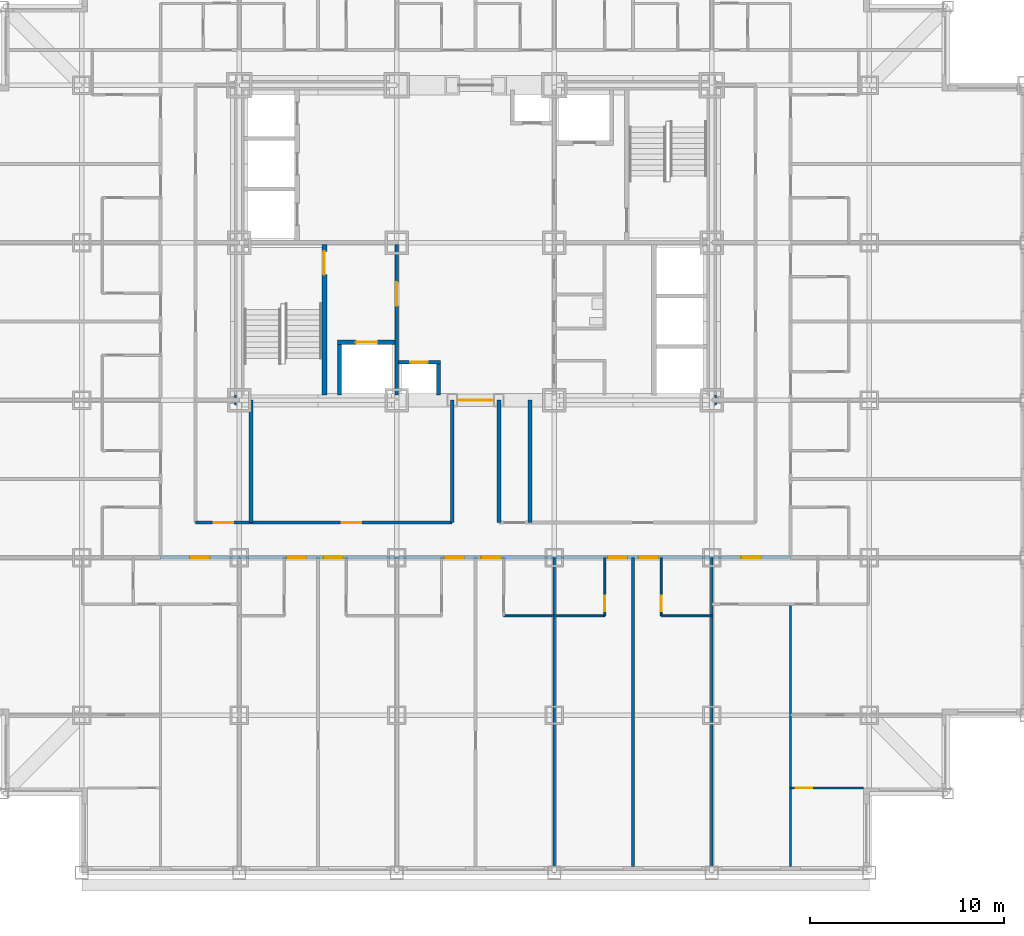
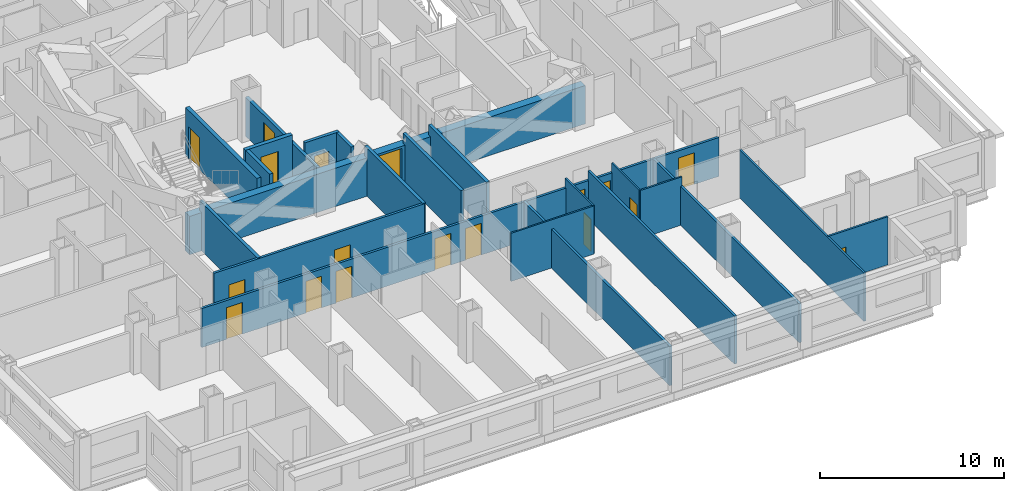
# One storey, part 5 of 12: 22 walls, 18 doors, 18 openings.
"""IFC4 building model written with IfcOpenShell, lengths in metres."""

from ifc_helpers import new_model, si_unit, direction, frame, frame_2d, origin, place, context, subcontext, project, spatial, rectangle, extrude, material, layer, layer_set, type_object, element, fill, save


model = new_model("IFC4")

# Units and contexts
model_context = context("Model", 3, precision=1e-05, world=origin(), true_north=direction((0.0, 1.0)))
body_context = subcontext(model_context, "Body", "Model", "MODEL_VIEW")
ifc_project = project(units=[si_unit("LENGTHUNIT", "METRE"), si_unit("AREAUNIT", "SQUARE_METRE"), si_unit("VOLUMEUNIT", "CUBIC_METRE"), si_unit("PLANEANGLEUNIT", "RADIAN"), si_unit("MASSUNIT", "GRAM", prefix="KILO")], contexts=[model_context])

# Site, building, storey
site_placement = place(None, origin())
site = spatial("IfcSite", under=ifc_project, at=site_placement, CompositionType="ELEMENT")
building_placement = place(site_placement, origin())
building = spatial("IfcBuilding", under=site, at=building_placement, Name="Kopane Lantern Tower", CompositionType="ELEMENT")
storey_placement = place(building_placement, frame((0.0, 0.0, 39.800048828125)))
storey = spatial("IfcBuildingStorey", under=building, at=storey_placement, Name="L08", CompositionType="ELEMENT", Elevation=39.800048828125)

# Wall
ifc_material_1 = material(Name="Gypsum board on steel studs", Category="steel")
ifc_layer_1 = layer(ifc_material_1, 0.1201171875)
ifc_layer_set_1 = layer_set([ifc_layer_1], Name="APARTMENT INTERNAL WALL 120")
wall_type_1 = type_object("IfcWallType", Name="APARTMENT INTERNAL WALL 120", PredefinedType="PARTITIONING", material=ifc_layer_set_1)
wall_1_placement = place(storey_placement, frame((44.550048828125, 13.800048828125, 0.0), z_axis=(0.0, 0.0, 1.0), x_axis=(0.0, -1.0, 0.0)))
element("IfcWall", 1, at=wall_1_placement, inside=storey, type_object=wall_type_1, Name="Apartment Internal Wall 120 L08", PredefinedType="PARTITIONING", context=body_context, shape_type="SweptSolid", body=[
    extrude(rectangle(XDim=13.5, YDim=0.1201171875, at=frame_2d((6.75, 0.0))), origin(), (0.0, 0.0, 1.0), 3.18994140625),
])

# Wall, opening, door
wall_2_placement = place(storey_placement, frame((44.550048828125, 4.35009765625, 0.0), z_axis=(0.0, 0.0, 1.0), x_axis=(1.0, 0.0, 0.0)))
wall_2 = element("IfcWall", 2, at=wall_2_placement, inside=storey, type_object=wall_type_1, Name="Apartment Internal Wall 120 L08", PredefinedType="PARTITIONING", context=body_context, shape_type="SweptSolid", body=[
    extrude(rectangle(XDim=3.75, YDim=0.1201171875, at=frame_2d((1.875, 0.0))), origin(), (0.0, 0.0, 1.0), 3.18994140625),
])
opening_1_placement = place(wall_2_placement, frame((0.27490234375, 0.0, 0.0)))
opening_1 = element("IfcOpeningElement", 3, at=opening_1_placement, cuts=wall_2, Name="Opening L08-076", PredefinedType="OPENING", context=body_context, shape_type="SweptSolid", body=[
    extrude(rectangle(XDim=0.85009765625, YDim=2.10009765625, at=frame_2d((0.425048828125, 1.050048828125))), frame((0.0, 0.070068359375, 0.0), z_axis=(0.0, -1.0, 0.0), x_axis=(1.0, 0.0, 0.0)), (0.0, 0.0, 1.0), 0.14013671875),
])
ifc_material_2 = material(Name="Timber door set", Category="wood")
door_type_1 = type_object("IfcDoorType", Name="DOOR D4 850x2100", OperationType="SINGLE_SWING_LEFT", PredefinedType="DOOR", material=ifc_material_2)
door_1_placement = place(opening_1_placement, origin())
door_1 = element("IfcDoor", 4, at=door_1_placement, inside=storey, type_object=door_type_1, Name="Door L08-076", OperationType="SINGLE_SWING_RIGHT", OverallHeight=2.10009765625, OverallWidth=0.85009765625, PredefinedType="DOOR", context=body_context, shape_type="SweptSolid", body=[
    extrude(rectangle(XDim=0.85009765625, YDim=2.10009765625, at=frame_2d((0.425048828125, 1.050048828125))), frame((0.0, 0.02490234375, 0.0), z_axis=(0.0, -1.0, 0.0), x_axis=(1.0, 0.0, 0.0)), (0.0, 0.0, 1.0), 0.050048828125),
])
fill(opening_1, door_1)

# Wall
ifc_material_3 = material(Name="Moisture-resistant board on steel studs", Category="steel")
ifc_layer_2 = layer(ifc_material_3, 0.10009765625)
ifc_layer_set_2 = layer_set([ifc_layer_2], Name="BATHROOM WALL 100")
wall_type_2 = type_object("IfcWallType", Name="BATHROOM WALL 100", PredefinedType="PARTITIONING", material=ifc_layer_set_2)
wall_3_placement = place(storey_placement, frame((29.800048828125, 13.199951171875, 0.0), z_axis=(0.0, 0.0, 1.0), x_axis=(1.0, 0.0, 0.0)))
element("IfcWall", 5, at=wall_3_placement, inside=storey, type_object=wall_type_2, Name="Bathroom Wall 100 L08", PredefinedType="PARTITIONING", context=body_context, shape_type="SweptSolid", body=[
    extrude(rectangle(XDim=5.199951171875, YDim=0.10009765625, at=frame_2d((2.60009765625, 0.0))), origin(), (0.0, 0.0, 1.0), 3.18994140625),
])

# Wall, opening, door
wall_4_placement = place(storey_placement, frame((35.0, 16.199951171875, 0.0), z_axis=(0.0, 0.0, 1.0), x_axis=(0.0, -1.0, 0.0)))
wall_4 = element("IfcWall", 6, at=wall_4_placement, inside=storey, type_object=wall_type_2, Name="Bathroom Wall 100 L08", PredefinedType="PARTITIONING", context=body_context, shape_type="SweptSolid", body=[
    extrude(rectangle(XDim=3.0, YDim=0.10009765625, at=frame_2d((1.5, 0.0))), origin(), (0.0, 0.0, 1.0), 3.18994140625),
])
opening_2_placement = place(wall_4_placement, frame((1.949951171875, 0.0, 0.0)))
opening_2 = element("IfcOpeningElement", 7, at=opening_2_placement, cuts=wall_4, Name="Opening L08-019", PredefinedType="OPENING", context=body_context, shape_type="SweptSolid", body=[
    extrude(rectangle(XDim=0.800048828125, YDim=2.10009765625, at=frame_2d((0.39990234375, 1.050048828125))), frame((0.0, 0.06005859375, 0.0), z_axis=(0.0, -1.0, 0.0), x_axis=(1.0, 0.0, 0.0)), (0.0, 0.0, 1.0), 0.1201171875),
])
ifc_material_4 = material(Name="Timber door set", Category="wood")
door_type_2 = type_object("IfcDoorType", Name="DOOR D2 800x2100", OperationType="SINGLE_SWING_LEFT", PredefinedType="DOOR", material=ifc_material_4)
door_2_placement = place(opening_2_placement, origin())
door_2 = element("IfcDoor", 8, at=door_2_placement, inside=storey, type_object=door_type_2, Name="Door L08-019", OperationType="SINGLE_SWING_LEFT", OverallHeight=2.10009765625, OverallWidth=0.800048828125, PredefinedType="DOOR", context=body_context, shape_type="SweptSolid", body=[
    extrude(rectangle(XDim=0.800048828125, YDim=2.10009765625, at=frame_2d((0.39990234375, 1.050048828125))), frame((0.0, 0.02490234375, 0.0), z_axis=(0.0, -1.0, 0.0), x_axis=(1.0, 0.0, 0.0)), (0.0, 0.0, 1.0), 0.050048828125),
])
fill(opening_2, door_2)

# Wall
wall_5_placement = place(storey_placement, frame((37.89990234375, 13.199951171875, 0.0), z_axis=(0.0, 0.0, 1.0), x_axis=(1.0, 0.0, 0.0)))
element("IfcWall", 9, at=wall_5_placement, inside=storey, type_object=wall_type_2, Name="Bathroom Wall 100 L08", PredefinedType="PARTITIONING", context=body_context, shape_type="SweptSolid", body=[
    extrude(rectangle(XDim=2.60009765625, YDim=0.10009765625, at=frame_2d((1.300048828125, 0.0))), origin(), (0.0, 0.0, 1.0), 3.18994140625),
])

# Wall, opening, door
wall_6_placement = place(storey_placement, frame((37.89990234375, 16.199951171875, 0.0), z_axis=(0.0, 0.0, 1.0), x_axis=(0.0, -1.0, 0.0)))
wall_6 = element("IfcWall", 10, at=wall_6_placement, inside=storey, type_object=wall_type_2, Name="Bathroom Wall 100 L08", PredefinedType="PARTITIONING", context=body_context, shape_type="SweptSolid", body=[
    extrude(rectangle(XDim=3.0, YDim=0.10009765625, at=frame_2d((1.5, 0.0))), origin(), (0.0, 0.0, 1.0), 3.18994140625),
])
opening_3_placement = place(wall_6_placement, frame((1.949951171875, 0.0, 0.0)))
opening_3 = element("IfcOpeningElement", 11, at=opening_3_placement, cuts=wall_6, Name="Opening L08-021", PredefinedType="OPENING", context=body_context, shape_type="SweptSolid", body=[
    extrude(rectangle(XDim=0.800048828125, YDim=2.10009765625, at=frame_2d((0.39990234375, 1.050048828125))), frame((0.0, 0.06005859375, 0.0), z_axis=(0.0, -1.0, 0.0), x_axis=(1.0, 0.0, 0.0)), (0.0, 0.0, 1.0), 0.1201171875),
])
door_3_placement = place(opening_3_placement, origin())
door_3 = element("IfcDoor", 12, at=door_3_placement, inside=storey, type_object=door_type_2, Name="Door L08-021", OperationType="SINGLE_SWING_RIGHT", OverallHeight=2.10009765625, OverallWidth=0.800048828125, PredefinedType="DOOR", context=body_context, shape_type="SweptSolid", body=[
    extrude(rectangle(XDim=0.800048828125, YDim=2.10009765625, at=frame_2d((0.39990234375, 1.050048828125))), frame((0.0, 0.02490234375, 0.0), z_axis=(0.0, -1.0, 0.0), x_axis=(1.0, 0.0, 0.0)), (0.0, 0.0, 1.0), 0.050048828125),
])
fill(opening_3, door_3)

ifc_material_5 = material(Name="Gypsum shaft wall EI 120", Category="gypsum")
ifc_layer_3 = layer(ifc_material_5, 0.5)
ifc_layer_set_3 = layer_set([ifc_layer_3], Name="CORE PERIMETER WALL 500 EI 120")
wall_type_3 = type_object("IfcWallType", Name="CORE PERIMETER WALL 500 EI 120", PredefinedType="SOLIDWALL", material=ifc_layer_set_3)
wall_7_placement = place(storey_placement, frame((15.949951171875, 24.300048828125, 0.0), z_axis=(0.0, 0.0, 1.0), x_axis=(1.0, 0.0, 0.0)))
wall_7 = element("IfcWall", 13, at=wall_7_placement, inside=storey, type_object=wall_type_3, Name="Core shaft wall L08 PS", PredefinedType="SOLIDWALL", context=body_context, shape_type="SweptSolid", body=[
    extrude(rectangle(XDim=24.800048828125, YDim=0.5, at=frame_2d((12.39990234375, 0.0))), origin(), (0.0, 0.0, 1.0), 2.5400390625),
])
opening_4_placement = place(wall_7_placement, frame((11.5, 0.0, 0.0)))
opening_4 = element("IfcOpeningElement", 14, at=opening_4_placement, cuts=wall_7, Name="Opening 08.CE-S", PredefinedType="OPENING", context=body_context, shape_type="SweptSolid", body=[
    extrude(rectangle(XDim=1.800048828125, YDim=2.39990234375, at=frame_2d((0.89990234375, 1.199951171875))), frame((0.0, 0.260009765625, 0.0), z_axis=(0.0, -1.0, 0.0), x_axis=(1.0, 0.0, 0.0)), (0.0, 0.0, 1.0), 0.52001953125),
])
ifc_material_6 = material(Name="Steel door set", Category="steel")
door_type_3 = type_object("IfcDoorType", Name="CORE ENTRY DOOR 1800x2400 FD60S", OperationType="DOUBLE_DOOR_SINGLE_SWING", PredefinedType="DOOR", material=ifc_material_6)
door_4_placement = place(opening_4_placement, origin())
door_4 = element("IfcDoor", 15, at=door_4_placement, inside=storey, type_object=door_type_3, Name="Core entry door L08 south", OperationType="DOUBLE_DOOR_SINGLE_SWING", OverallHeight=2.39990234375, OverallWidth=1.800048828125, PredefinedType="DOOR", context=body_context, shape_type="SweptSolid", body=[
    extrude(rectangle(XDim=1.800048828125, YDim=2.39990234375, at=frame_2d((0.89990234375, 1.199951171875))), frame((0.0, 0.02490234375, 0.0), z_axis=(0.0, -1.0, 0.0), x_axis=(1.0, 0.0, 0.0)), (0.0, 0.0, 1.0), 0.050048828125),
])
fill(opening_4, door_4)

ifc_material_7 = material(Name="Gypsum shaft wall EI 120", Category="gypsum")
ifc_layer_4 = layer(ifc_material_7, 0.25)
ifc_layer_set_4 = layer_set([ifc_layer_4], Name="CORE SHAFT WALL 250 EI 120")
wall_type_4 = type_object("IfcWallType", Name="CORE SHAFT WALL 250 EI 120", PredefinedType="SOLIDWALL", material=ifc_layer_set_4)
wall_8_placement = place(storey_placement, frame((20.574951171875, 24.550048828125, 0.0), z_axis=(0.0, 0.0, 1.0), x_axis=(0.0, 1.0, 0.0)))
wall_8 = element("IfcWall", 16, at=wall_8_placement, inside=storey, type_object=wall_type_4, Name="Core shaft wall L08 XST1", PredefinedType="SOLIDWALL", context=body_context, shape_type="SweptSolid", body=[
    extrude(rectangle(XDim=7.75, YDim=0.25, at=frame_2d((3.875, 0.0))), origin(), (0.0, 0.0, 1.0), 3.18994140625),
])
opening_5_placement = place(wall_8_placement, frame((6.199951171875, 0.0, 0.0)))
opening_5 = element("IfcOpeningElement", 17, at=opening_5_placement, cuts=wall_8, Name="Opening 08.SD1", PredefinedType="OPENING", context=body_context, shape_type="SweptSolid", body=[
    extrude(rectangle(XDim=1.199951171875, YDim=2.10009765625, at=frame_2d((0.60009765625, 1.050048828125))), frame((0.0, 0.135009765625, 0.0), z_axis=(0.0, -1.0, 0.0), x_axis=(1.0, 0.0, 0.0)), (0.0, 0.0, 1.0), 0.27001953125),
])
ifc_material_8 = material(Name="Steel door set", Category="steel")
door_type_4 = type_object("IfcDoorType", Name="STAIR DOOR 1200x2100 FD60S", OperationType="SINGLE_SWING_LEFT", PredefinedType="DOOR", material=ifc_material_8)
door_5_placement = place(opening_5_placement, origin())
door_5 = element("IfcDoor", 18, at=door_5_placement, inside=storey, type_object=door_type_4, Name="Stair door ST1 L08", OperationType="SINGLE_SWING_LEFT", OverallHeight=2.10009765625, OverallWidth=1.199951171875, PredefinedType="DOOR", context=body_context, shape_type="SweptSolid", body=[
    extrude(rectangle(XDim=1.199951171875, YDim=2.10009765625, at=frame_2d((0.60009765625, 1.050048828125))), frame((0.0, 0.02490234375, 0.0), z_axis=(0.0, -1.0, 0.0), x_axis=(1.0, 0.0, 0.0)), (0.0, 0.0, 1.0), 0.050048828125),
])
fill(opening_5, door_5)

wall_9_placement = place(storey_placement, frame((21.25, 27.27490234375, 0.0), z_axis=(0.0, 0.0, 1.0), x_axis=(1.0, 0.0, 0.0)))
wall_9 = element("IfcWall", 19, at=wall_9_placement, inside=storey, type_object=wall_type_4, Name="Core shaft wall L08 YLF1", PredefinedType="SOLIDWALL", context=body_context, shape_type="SweptSolid", body=[
    extrude(rectangle(XDim=2.949951171875, YDim=0.25, at=frame_2d((1.47509765625, 0.0))), origin(), (0.0, 0.0, 1.0), 3.18994140625),
])
opening_6_placement = place(wall_9_placement, frame((0.949951171875, 0.0, 0.0)))
opening_6 = element("IfcOpeningElement", 20, at=opening_6_placement, cuts=wall_9, Name="Opening 08.LD-LF1", PredefinedType="OPENING", context=body_context, shape_type="SweptSolid", body=[
    extrude(rectangle(XDim=1.10009765625, YDim=2.39990234375, at=frame_2d((0.550048828125, 1.199951171875))), frame((0.0, 0.135009765625, 0.0), z_axis=(0.0, -1.0, 0.0), x_axis=(1.0, 0.0, 0.0)), (0.0, 0.0, 1.0), 0.27001953125),
])
ifc_material_9 = material(Name="Steel door set", Category="steel")
door_type_5 = type_object("IfcDoorType", Name="LIFT LANDING DOOR 1100x2400 FD60", OperationType="DOUBLE_DOOR_SLIDING", PredefinedType="DOOR", material=ifc_material_9)
door_6_placement = place(opening_6_placement, origin())
door_6 = element("IfcDoor", 21, at=door_6_placement, inside=storey, type_object=door_type_5, Name="Landing door LF1 L08", OperationType="DOUBLE_DOOR_SLIDING", OverallHeight=2.39990234375, OverallWidth=1.10009765625, PredefinedType="DOOR", context=body_context, shape_type="SweptSolid", body=[
    extrude(rectangle(XDim=1.10009765625, YDim=2.39990234375, at=frame_2d((0.550048828125, 1.199951171875))), frame((0.0, 0.02490234375, 0.0), z_axis=(0.0, -1.0, 0.0), x_axis=(1.0, 0.0, 0.0)), (0.0, 0.0, 1.0), 0.050048828125),
])
fill(opening_6, door_6)

# Wall, openings, doors
ifc_material_10 = material(Name="Gypsum board on steel studs", Category="steel")
ifc_layer_5 = layer(ifc_material_10, 0.14990234375)
ifc_layer_set_5 = layer_set([ifc_layer_5], Name="CORRIDOR WALL 150 EI 60")
wall_type_5 = type_object("IfcWallType", Name="CORRIDOR WALL 150 EI 60", PredefinedType="PARTITIONING", material=ifc_layer_set_5)
wall_10_placement = place(storey_placement, frame((12.14990234375, 16.199951171875, 0.0), z_axis=(0.0, 0.0, 1.0), x_axis=(1.0, 0.0, 0.0)))
wall_10 = element("IfcWall", 22, at=wall_10_placement, inside=storey, type_object=wall_type_5, Name="Corridor Wall 150 Ei 60 L08", PredefinedType="PARTITIONING", context=body_context, shape_type="SweptSolid", body=[
    extrude(rectangle(XDim=32.400146484375, YDim=0.14990234375, at=frame_2d((16.2001953125, 0.0))), origin(), (0.0, 0.0, 1.0), 2.57763671875),
])
opening_7_placement = place(wall_10_placement, frame((6.5, 0.0, 0.0)))
opening_7 = element("IfcOpeningElement", 23, at=opening_7_placement, cuts=wall_10, Name="Opening L08-010", PredefinedType="OPENING", context=body_context, shape_type="SweptSolid", body=[
    extrude(rectangle(XDim=1.0, YDim=2.10009765625, at=frame_2d((0.5, 1.050048828125))), frame((0.0, 0.0849609375, 0.0), z_axis=(0.0, -1.0, 0.0), x_axis=(1.0, 0.0, 0.0)), (0.0, 0.0, 1.0), 0.169921875),
])
opening_8_placement = place(wall_10_placement, frame((8.39990234375, 0.0, 0.0)))
opening_8 = element("IfcOpeningElement", 24, at=opening_8_placement, cuts=wall_10, Name="Opening L08-012", PredefinedType="OPENING", context=body_context, shape_type="SweptSolid", body=[
    extrude(rectangle(XDim=1.0, YDim=2.10009765625, at=frame_2d((0.5, 1.050048828125))), frame((0.0, 0.0849609375, 0.0), z_axis=(0.0, -1.0, 0.0), x_axis=(1.0, 0.0, 0.0)), (0.0, 0.0, 1.0), 0.169921875),
])
opening_9_placement = place(wall_10_placement, frame((14.60009765625, 0.0, 0.0)))
opening_9 = element("IfcOpeningElement", 25, at=opening_9_placement, cuts=wall_10, Name="Opening L08-015", PredefinedType="OPENING", context=body_context, shape_type="SweptSolid", body=[
    extrude(rectangle(XDim=1.0, YDim=2.10009765625, at=frame_2d((0.5, 1.050048828125))), frame((0.0, 0.0849609375, 0.0), z_axis=(0.0, -1.0, 0.0), x_axis=(1.0, 0.0, 0.0)), (0.0, 0.0, 1.0), 0.169921875),
])
opening_10_placement = place(wall_10_placement, frame((16.5, 0.0, 0.0)))
opening_10 = element("IfcOpeningElement", 26, at=opening_10_placement, cuts=wall_10, Name="Opening L08-017", PredefinedType="OPENING", context=body_context, shape_type="SweptSolid", body=[
    extrude(rectangle(XDim=1.0, YDim=2.10009765625, at=frame_2d((0.5, 1.050048828125))), frame((0.0, 0.0849609375, 0.0), z_axis=(0.0, -1.0, 0.0), x_axis=(1.0, 0.0, 0.0)), (0.0, 0.0, 1.0), 0.169921875),
])
opening_11_placement = place(wall_10_placement, frame((23.0, 0.0, 0.0)))
opening_11 = element("IfcOpeningElement", 27, at=opening_11_placement, cuts=wall_10, Name="Opening L08-020", PredefinedType="OPENING", context=body_context, shape_type="SweptSolid", body=[
    extrude(rectangle(XDim=1.0, YDim=2.10009765625, at=frame_2d((0.5, 1.050048828125))), frame((0.0, 0.0849609375, 0.0), z_axis=(0.0, -1.0, 0.0), x_axis=(1.0, 0.0, 0.0)), (0.0, 0.0, 1.0), 0.169921875),
])
opening_12_placement = place(wall_10_placement, frame((24.60009765625, 0.0, 0.0)))
opening_12 = element("IfcOpeningElement", 28, at=opening_12_placement, cuts=wall_10, Name="Opening L08-022", PredefinedType="OPENING", context=body_context, shape_type="SweptSolid", body=[
    extrude(rectangle(XDim=1.0, YDim=2.10009765625, at=frame_2d((0.5, 1.050048828125))), frame((0.0, 0.0849609375, 0.0), z_axis=(0.0, -1.0, 0.0), x_axis=(1.0, 0.0, 0.0)), (0.0, 0.0, 1.0), 0.169921875),
])
opening_13_placement = place(wall_10_placement, frame((1.52490234375, 0.0, 0.0)))
opening_13 = element("IfcOpeningElement", 29, at=opening_13_placement, cuts=wall_10, Name="Opening L08-059", PredefinedType="OPENING", context=body_context, shape_type="SweptSolid", body=[
    extrude(rectangle(XDim=1.0, YDim=2.10009765625, at=frame_2d((0.5, 1.050048828125))), frame((0.0, 0.0849609375, 0.0), z_axis=(0.0, -1.0, 0.0), x_axis=(1.0, 0.0, 0.0)), (0.0, 0.0, 1.0), 0.169921875),
])
opening_14_placement = place(wall_10_placement, frame((29.875, 0.0, 0.0)))
opening_14 = element("IfcOpeningElement", 30, at=opening_14_placement, cuts=wall_10, Name="Opening L08-064", PredefinedType="OPENING", context=body_context, shape_type="SweptSolid", body=[
    extrude(rectangle(XDim=1.0, YDim=2.10009765625, at=frame_2d((0.5, 1.050048828125))), frame((0.0, 0.0849609375, 0.0), z_axis=(0.0, -1.0, 0.0), x_axis=(1.0, 0.0, 0.0)), (0.0, 0.0, 1.0), 0.169921875),
])
ifc_material_11 = material(Name="Steel door set", Category="steel")
door_type_6 = type_object("IfcDoorType", Name="DOOR D1 1000x2100 FD30S", OperationType="SINGLE_SWING_LEFT", PredefinedType="DOOR", material=ifc_material_11)
door_7_placement = place(opening_7_placement, origin())
door_7 = element("IfcDoor", 31, at=door_7_placement, inside=storey, type_object=door_type_6, Name="Door L08-010", OperationType="SINGLE_SWING_RIGHT", OverallHeight=2.10009765625, OverallWidth=1.0, PredefinedType="DOOR", context=body_context, shape_type="SweptSolid", body=[
    extrude(rectangle(XDim=1.0, YDim=2.10009765625, at=frame_2d((0.5, 1.050048828125))), frame((0.0, 0.02490234375, 0.0), z_axis=(0.0, -1.0, 0.0), x_axis=(1.0, 0.0, 0.0)), (0.0, 0.0, 1.0), 0.050048828125),
])
fill(opening_7, door_7)
door_8_placement = place(opening_8_placement, origin())
door_8 = element("IfcDoor", 32, at=door_8_placement, inside=storey, type_object=door_type_6, Name="Door L08-012", OperationType="SINGLE_SWING_LEFT", OverallHeight=2.10009765625, OverallWidth=1.0, PredefinedType="DOOR", context=body_context, shape_type="SweptSolid", body=[
    extrude(rectangle(XDim=1.0, YDim=2.10009765625, at=frame_2d((0.5, 1.050048828125))), frame((0.0, 0.02490234375, 0.0), z_axis=(0.0, -1.0, 0.0), x_axis=(1.0, 0.0, 0.0)), (0.0, 0.0, 1.0), 0.050048828125),
])
fill(opening_8, door_8)
door_9_placement = place(opening_9_placement, origin())
door_9 = element("IfcDoor", 33, at=door_9_placement, inside=storey, type_object=door_type_6, Name="Door L08-015", OperationType="SINGLE_SWING_RIGHT", OverallHeight=2.10009765625, OverallWidth=1.0, PredefinedType="DOOR", context=body_context, shape_type="SweptSolid", body=[
    extrude(rectangle(XDim=1.0, YDim=2.10009765625, at=frame_2d((0.5, 1.050048828125))), frame((0.0, 0.02490234375, 0.0), z_axis=(0.0, -1.0, 0.0), x_axis=(1.0, 0.0, 0.0)), (0.0, 0.0, 1.0), 0.050048828125),
])
fill(opening_9, door_9)
door_10_placement = place(opening_10_placement, origin())
door_10 = element("IfcDoor", 34, at=door_10_placement, inside=storey, type_object=door_type_6, Name="Door L08-017", OperationType="SINGLE_SWING_LEFT", OverallHeight=2.10009765625, OverallWidth=1.0, PredefinedType="DOOR", context=body_context, shape_type="SweptSolid", body=[
    extrude(rectangle(XDim=1.0, YDim=2.10009765625, at=frame_2d((0.5, 1.050048828125))), frame((0.0, 0.02490234375, 0.0), z_axis=(0.0, -1.0, 0.0), x_axis=(1.0, 0.0, 0.0)), (0.0, 0.0, 1.0), 0.050048828125),
])
fill(opening_10, door_10)
door_11_placement = place(opening_11_placement, origin())
door_11 = element("IfcDoor", 35, at=door_11_placement, inside=storey, type_object=door_type_6, Name="Door L08-020", OperationType="SINGLE_SWING_RIGHT", OverallHeight=2.10009765625, OverallWidth=1.0, PredefinedType="DOOR", context=body_context, shape_type="SweptSolid", body=[
    extrude(rectangle(XDim=1.0, YDim=2.10009765625, at=frame_2d((0.5, 1.050048828125))), frame((0.0, 0.02490234375, 0.0), z_axis=(0.0, -1.0, 0.0), x_axis=(1.0, 0.0, 0.0)), (0.0, 0.0, 1.0), 0.050048828125),
])
fill(opening_11, door_11)
door_12_placement = place(opening_12_placement, origin())
door_12 = element("IfcDoor", 36, at=door_12_placement, inside=storey, type_object=door_type_6, Name="Door L08-022", OperationType="SINGLE_SWING_LEFT", OverallHeight=2.10009765625, OverallWidth=1.0, PredefinedType="DOOR", context=body_context, shape_type="SweptSolid", body=[
    extrude(rectangle(XDim=1.0, YDim=2.10009765625, at=frame_2d((0.5, 1.050048828125))), frame((0.0, 0.02490234375, 0.0), z_axis=(0.0, -1.0, 0.0), x_axis=(1.0, 0.0, 0.0)), (0.0, 0.0, 1.0), 0.050048828125),
])
fill(opening_12, door_12)
door_13_placement = place(opening_13_placement, origin())
door_13 = element("IfcDoor", 37, at=door_13_placement, inside=storey, type_object=door_type_6, Name="Door L08-059", OperationType="SINGLE_SWING_LEFT", OverallHeight=2.10009765625, OverallWidth=1.0, PredefinedType="DOOR", context=body_context, shape_type="SweptSolid", body=[
    extrude(rectangle(XDim=1.0, YDim=2.10009765625, at=frame_2d((0.5, 1.050048828125))), frame((0.0, 0.02490234375, 0.0), z_axis=(0.0, -1.0, 0.0), x_axis=(1.0, 0.0, 0.0)), (0.0, 0.0, 1.0), 0.050048828125),
])
fill(opening_13, door_13)
door_14_placement = place(opening_14_placement, origin())
door_14 = element("IfcDoor", 38, at=door_14_placement, inside=storey, type_object=door_type_6, Name="Door L08-064", OperationType="SINGLE_SWING_RIGHT", OverallHeight=2.10009765625, OverallWidth=1.0, PredefinedType="DOOR", context=body_context, shape_type="SweptSolid", body=[
    extrude(rectangle(XDim=1.0, YDim=2.10009765625, at=frame_2d((0.5, 1.050048828125))), frame((0.0, 0.02490234375, 0.0), z_axis=(0.0, -1.0, 0.0), x_axis=(1.0, 0.0, 0.0)), (0.0, 0.0, 1.0), 0.050048828125),
])
fill(opening_14, door_14)

wall_11_placement = place(storey_placement, frame((13.949951171875, 18.0, 0.0), z_axis=(0.0, 0.0, 1.0), x_axis=(1.0, 0.0, 0.0)))
wall_11 = element("IfcWall", 39, at=wall_11_placement, inside=storey, type_object=wall_type_5, Name="Corridor Wall 150 Ei 60 L08", PredefinedType="PARTITIONING", context=body_context, shape_type="SweptSolid", body=[
    extrude(rectangle(XDim=13.18994140625, YDim=0.14990234375, at=frame_2d((6.594970703125, 0.0))), origin(), (0.0, 0.0, 1.0), 3.18994140625),
])
opening_15_placement = place(wall_11_placement, frame((0.9287109375, 0.0, 0.0)))
opening_15 = element("IfcOpeningElement", 40, at=opening_15_placement, cuts=wall_11, Name="Opening L08-005", PredefinedType="OPENING", context=body_context, shape_type="SweptSolid", body=[
    extrude(rectangle(XDim=1.0, YDim=2.10009765625, at=frame_2d((0.5, 1.050048828125))), frame((0.0, 0.0849609375, 0.0), z_axis=(0.0, -1.0, 0.0), x_axis=(1.0, 0.0, 0.0)), (0.0, 0.0, 1.0), 0.169921875),
])
opening_16_placement = place(wall_11_placement, frame((7.528564453125, 0.0, 0.0)))
opening_16 = element("IfcOpeningElement", 41, at=opening_16_placement, cuts=wall_11, Name="Opening L08-006", PredefinedType="OPENING", context=body_context, shape_type="SweptSolid", body=[
    extrude(rectangle(XDim=1.0, YDim=2.10009765625, at=frame_2d((0.5, 1.050048828125))), frame((0.0, 0.0849609375, 0.0), z_axis=(0.0, -1.0, 0.0), x_axis=(1.0, 0.0, 0.0)), (0.0, 0.0, 1.0), 0.169921875),
])
ifc_material_12 = material(Name="Steel door set", Category="steel")
door_type_7 = type_object("IfcDoorType", Name="DOOR D5 1000x2100 FD60", OperationType="SINGLE_SWING_LEFT", PredefinedType="DOOR", material=ifc_material_12)
door_15_placement = place(opening_15_placement, origin())
door_15 = element("IfcDoor", 42, at=door_15_placement, inside=storey, type_object=door_type_7, Name="Door L08-005", OperationType="SINGLE_SWING_LEFT", OverallHeight=2.10009765625, OverallWidth=1.0, PredefinedType="DOOR", context=body_context, shape_type="SweptSolid", body=[
    extrude(rectangle(XDim=1.0, YDim=2.10009765625, at=frame_2d((0.5, 1.050048828125))), frame((0.0, 0.02490234375, 0.0), z_axis=(0.0, -1.0, 0.0), x_axis=(1.0, 0.0, 0.0)), (0.0, 0.0, 1.0), 0.050048828125),
])
fill(opening_15, door_15)
door_16_placement = place(opening_16_placement, origin())
door_16 = element("IfcDoor", 43, at=door_16_placement, inside=storey, type_object=door_type_7, Name="Door L08-006", OperationType="SINGLE_SWING_RIGHT", OverallHeight=2.10009765625, OverallWidth=1.0, PredefinedType="DOOR", context=body_context, shape_type="SweptSolid", body=[
    extrude(rectangle(XDim=1.0, YDim=2.10009765625, at=frame_2d((0.5, 1.050048828125))), frame((0.0, 0.02490234375, 0.0), z_axis=(0.0, -1.0, 0.0), x_axis=(1.0, 0.0, 0.0)), (0.0, 0.0, 1.0), 0.050048828125),
])
fill(opening_16, door_16)

# Walls
ifc_material_13 = material(Name="Gypsum board on steel studs", Category="steel")
ifc_layer_6 = layer(ifc_material_13, 0.14990234375)
ifc_layer_set_6 = layer_set([ifc_layer_6], Name="DEMISING WALL 150 EI 60")
wall_type_6 = type_object("IfcWallType", Name="DEMISING WALL 150 EI 60", PredefinedType="PARTITIONING", material=ifc_layer_set_6)
wall_12_placement = place(storey_placement, frame((32.39990234375, 16.199951171875, 0.0), z_axis=(0.0, 0.0, 1.0), x_axis=(0.0, -1.0, 0.0)))
element("IfcWall", 44, at=wall_12_placement, inside=storey, type_object=wall_type_6, Name="Demising Wall 150 Ei 60 L08", PredefinedType="PARTITIONING", context=body_context, shape_type="SweptSolid", body=[
    extrude(rectangle(XDim=15.89990234375, YDim=0.14990234375, at=frame_2d((7.949951171875, 0.0))), origin(), (0.0, 0.0, 1.0), 2.57763671875),
])
wall_13_placement = place(storey_placement, frame((36.449951171875, 16.199951171875, 0.0), z_axis=(0.0, 0.0, 1.0), x_axis=(0.0, -1.0, 0.0)))
element("IfcWall", 45, at=wall_13_placement, inside=storey, type_object=wall_type_6, Name="Demising Wall 150 Ei 60 L08", PredefinedType="PARTITIONING", context=body_context, shape_type="SweptSolid", body=[
    extrude(rectangle(XDim=15.89990234375, YDim=0.14990234375, at=frame_2d((7.949951171875, 0.0))), origin(), (0.0, 0.0, 1.0), 3.18994140625),
])
wall_14_placement = place(storey_placement, frame((40.5, 16.199951171875, 0.0), z_axis=(0.0, 0.0, 1.0), x_axis=(0.0, -1.0, 0.0)))
element("IfcWall", 46, at=wall_14_placement, inside=storey, type_object=wall_type_6, Name="Demising Wall 150 Ei 60 L08", PredefinedType="PARTITIONING", context=body_context, shape_type="SweptSolid", body=[
    extrude(rectangle(XDim=15.89990234375, YDim=0.14990234375, at=frame_2d((7.949951171875, 0.0))), origin(), (0.0, 0.0, 1.0), 2.57763671875),
])
ifc_material_14 = material(Name="Concrete masonry", Category="masonry")
ifc_layer_7 = layer(ifc_material_14, 0.199951171875)
ifc_layer_set_7 = layer_set([ifc_layer_7], Name="PLANT ROOM WALL 200 EI 120")
wall_type_7 = type_object("IfcWallType", Name="PLANT ROOM WALL 200 EI 120", PredefinedType="SOLIDWALL", material=ifc_layer_set_7)
for number, where, z_axis, x_axis, name in (
    (47, (16.80712890625, 18.0, 0.0), (0.0, 0.0, 1.0), (0.0, 1.0, 0.0), "Plant Room Wall 200 Ei 120 L08"),
    (48, (31.14990234375, 18.0, 0.0), (0.0, 0.0, 1.0), (0.0, 1.0, 0.0), "Plant Room Wall 200 Ei 120 L08"),
    (49, (27.14990234375, 18.0, 0.0), (0.0, 0.0, 1.0), (0.0, 1.0, 0.0), "Plant Room Wall 200 Ei 120 L08"),
    (50, (29.550048828125, 18.0, 0.0), (0.0, 0.0, 1.0), (0.0, 1.0, 0.0), "Plant Room Wall 200 Ei 120 L08"),
):
    element("IfcWall", number, at=place(storey_placement, frame(where, z_axis=z_axis, x_axis=x_axis)), inside=storey, type_object=wall_type_7, Name=name, PredefinedType="SOLIDWALL", context=body_context, shape_type="SweptSolid", body=[
        extrude(rectangle(XDim=6.300048828125, YDim=0.199951171875, at=frame_2d((3.14990234375, 0.0))), origin(), (0.0, 0.0, 1.0), 3.18994140625),
    ])

# Wall, opening, door
ifc_material_15 = material(Name="Gypsum shaft wall EI 120", Category="gypsum")
ifc_layer_8 = layer(ifc_material_15, 0.199951171875)
ifc_layer_set_8 = layer_set([ifc_layer_8], Name="SHAFT WALL 200 EI 120")
wall_type_8 = type_object("IfcWallType", Name="SHAFT WALL 200 EI 120", PredefinedType="SOLIDWALL", material=ifc_layer_set_8)
wall_15_placement = place(storey_placement, frame((24.300048828125, 24.550048828125, 0.0), z_axis=(0.0, 0.0, 1.0), x_axis=(0.0, 1.0, 0.0)))
wall_15 = element("IfcWall", 51, at=wall_15_placement, inside=storey, type_object=wall_type_8, Name="Core shaft wall L08 X243", PredefinedType="SOLIDWALL", context=body_context, shape_type="SweptSolid", body=[
    extrude(rectangle(XDim=7.75, YDim=0.199951171875, at=frame_2d((3.875, 0.0))), origin(), (0.0, 0.0, 1.0), 2.57763671875),
])
opening_17_placement = place(wall_15_placement, frame((4.60009765625, 0.0, 0.0)))
opening_17 = element("IfcOpeningElement", 52, at=opening_17_placement, cuts=wall_15, Name="Opening 08.FL1", PredefinedType="OPENING", context=body_context, shape_type="SweptSolid", body=[
    extrude(rectangle(XDim=1.199951171875, YDim=2.10009765625, at=frame_2d((0.60009765625, 1.050048828125))), frame((0.0, 0.10986328125, 0.0), z_axis=(0.0, -1.0, 0.0), x_axis=(1.0, 0.0, 0.0)), (0.0, 0.0, 1.0), 0.219970703125),
])
ifc_material_16 = material(Name="Steel door set", Category="steel")
door_type_8 = type_object("IfcDoorType", Name="FIREFIGHTING LOBBY DOOR 1200x2100 FD60S", OperationType="SINGLE_SWING_RIGHT", PredefinedType="DOOR", material=ifc_material_16)
door_17_placement = place(opening_17_placement, origin())
door_17 = element("IfcDoor", 53, at=door_17_placement, inside=storey, type_object=door_type_8, Name="Firefighting lobby door FL1 L08", OperationType="SINGLE_SWING_LEFT", OverallHeight=2.10009765625, OverallWidth=1.199951171875, PredefinedType="DOOR", context=body_context, shape_type="SweptSolid", body=[
    extrude(rectangle(XDim=1.199951171875, YDim=2.10009765625, at=frame_2d((0.60009765625, 1.050048828125))), frame((0.0, 0.02490234375, 0.0), z_axis=(0.0, -1.0, 0.0), x_axis=(1.0, 0.0, 0.0)), (0.0, 0.0, 1.0), 0.050048828125),
])
fill(opening_17, door_17)

# Walls
wall_16_placement = place(storey_placement, frame((21.35009765625, 24.550048828125, 0.0), z_axis=(0.0, 0.0, 1.0), x_axis=(0.0, 1.0, 0.0)))
element("IfcWall", 54, at=wall_16_placement, inside=storey, type_object=wall_type_8, Name="Core shaft wall L08 XLF1", PredefinedType="SOLIDWALL", context=body_context, shape_type="SweptSolid", body=[
    extrude(rectangle(XDim=2.599853515625, YDim=0.199951171875, at=frame_2d((1.2998046875, 0.0))), origin(), (0.0, 0.0, 1.0), 3.18994140625),
])
wall_17_placement = place(storey_placement, frame((26.449951171875, 24.550048828125, 0.0), z_axis=(0.0, 0.0, 1.0), x_axis=(0.0, 1.0, 0.0)))
element("IfcWall", 55, at=wall_17_placement, inside=storey, type_object=wall_type_8, Name="Core shaft wall L08 XRS1", PredefinedType="SOLIDWALL", context=body_context, shape_type="SweptSolid", body=[
    extrude(rectangle(XDim=1.599853515625, YDim=0.199951171875, at=frame_2d((0.7998046875, 0.0))), origin(), (0.0, 0.0, 1.0), 3.18994140625),
])

# Wall, opening, door
wall_18_placement = place(storey_placement, frame((24.39990234375, 26.25, 0.0), z_axis=(0.0, 0.0, 1.0), x_axis=(1.0, 0.0, 0.0)))
wall_18 = element("IfcWall", 56, at=wall_18_placement, inside=storey, type_object=wall_type_8, Name="Core shaft wall L08 YRS1", PredefinedType="SOLIDWALL", context=body_context, shape_type="SweptSolid", body=[
    extrude(rectangle(XDim=2.150146484375, YDim=0.199951171875, at=frame_2d((1.0751953125, 0.0))), origin(), (0.0, 0.0, 1.0), 3.18994140625),
])
opening_18_placement = place(wall_18_placement, frame((0.60009765625, 0.0, 0.0)))
opening_18 = element("IfcOpeningElement", 57, at=opening_18_placement, cuts=wall_18, Name="Opening 08.RS1", PredefinedType="OPENING", context=body_context, shape_type="SweptSolid", body=[
    extrude(rectangle(XDim=0.89990234375, YDim=2.10009765625, at=frame_2d((0.449951171875, 1.050048828125))), frame((0.0, 0.10986328125, 0.0), z_axis=(0.0, -1.0, 0.0), x_axis=(1.0, 0.0, 0.0)), (0.0, 0.0, 1.0), 0.219970703125),
])
ifc_material_17 = material(Name="Steel door set", Category="steel")
door_type_9 = type_object("IfcDoorType", Name="RISER ACCESS DOOR 900x2100 FD60", OperationType="SINGLE_SWING_LEFT", PredefinedType="DOOR", material=ifc_material_17)
door_18_placement = place(opening_18_placement, origin())
door_18 = element("IfcDoor", 58, at=door_18_placement, inside=storey, type_object=door_type_9, Name="Riser access door RS1 L08", OperationType="SINGLE_SWING_LEFT", OverallHeight=2.10009765625, OverallWidth=0.89990234375, PredefinedType="DOOR", context=body_context, shape_type="SweptSolid", body=[
    extrude(rectangle(XDim=0.89990234375, YDim=2.10009765625, at=frame_2d((0.449951171875, 1.050048828125))), frame((0.0, 0.02490234375, 0.0), z_axis=(0.0, -1.0, 0.0), x_axis=(1.0, 0.0, 0.0)), (0.0, 0.0, 1.0), 0.050048828125),
])
fill(opening_18, door_18)

save(model, "model.ifc")
